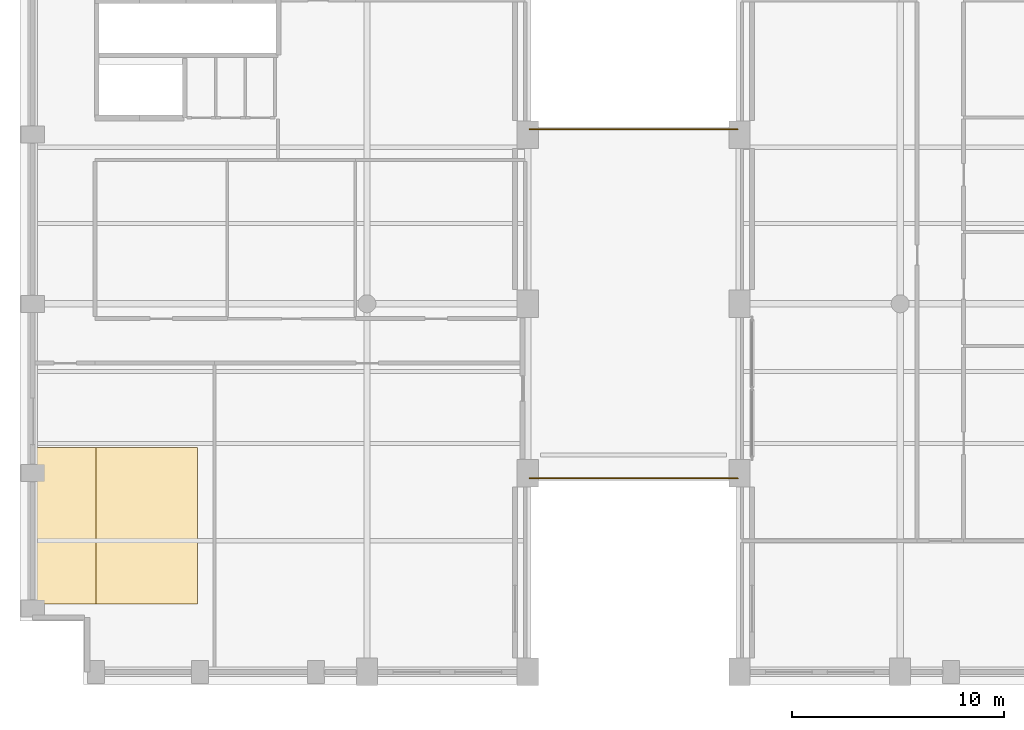
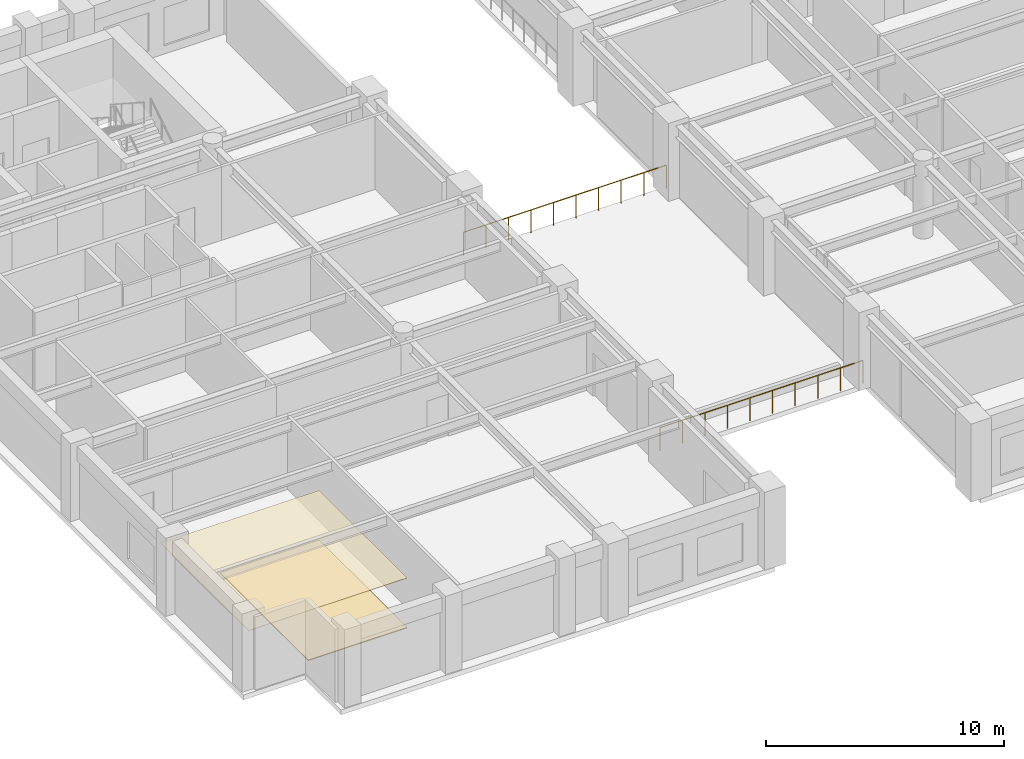
# One storey, part 8 of 10: 2 coverings, 2 railings.
"""IFC4 building model written with IfcOpenShell, lengths in metres."""

from ifc_helpers import new_model, si_unit, direction, frame, origin, origin_2d, place, context, subcontext, project, spatial, polyline, circle, outline, extrude, material, layer, layer_set, type_object, element, save


model = new_model("IFC4")

# Units and contexts
model_context = context("Model", 3, precision=1e-05, world=origin(), true_north=direction((0.0, 1.0)))
body_context = subcontext(model_context, "Body", "Model", "MODEL_VIEW")
ifc_project = project(units=[si_unit("LENGTHUNIT", "METRE"), si_unit("AREAUNIT", "SQUARE_METRE"), si_unit("VOLUMEUNIT", "CUBIC_METRE"), si_unit("PLANEANGLEUNIT", "RADIAN"), si_unit("MASSUNIT", "GRAM", prefix="KILO")], contexts=[model_context])

# Site, building, storey
site_placement = place(None, origin())
site = spatial("IfcSite", under=ifc_project, at=site_placement, CompositionType="ELEMENT")
building_placement = place(site_placement, origin())
building = spatial("IfcBuilding", under=site, at=building_placement, Name="Sulina Concourse Tower", CompositionType="ELEMENT")
storey_placement = place(building_placement, frame((0.0, 0.0, 182.60009765625)))
storey = spatial("IfcBuildingStorey", under=building, at=storey_placement, Name="L44", CompositionType="ELEMENT", Elevation=182.60009765625)

# Coverings
ifc_material_1 = material(Name="Polished granite flooring", Category="masonry")
ifc_layer_1 = layer(ifc_material_1, 0.044921875)
ifc_layer_set_1 = layer_set([ifc_layer_1], Name="Polished granite flooring")
covering_type_1 = type_object("IfcCoveringType", Name="Polished Granite & Raised Access Flooring 45mm", PredefinedType="FLOORING", material=ifc_layer_set_1)
covering_1_placement = place(storey_placement, origin())
element("IfcCovering", 1, at=covering_1_placement, inside=storey, type_object=covering_type_1, Name="L44 raised access floor finish", PredefinedType="FLOORING", context=body_context, shape_type="SweptSolid", body=[
    extrude(outline(polyline([(3.60009765625, 3.800048828125), (8.39990234375, 3.800048828125), (8.39990234375, 11.199951171875), (3.60009765625, 11.199951171875), (3.60009765625, 3.800048828125)])), origin(), (0.0, 0.0, 1.0), 0.044921875),
])
ifc_material_2 = material(Name="Acoustic mineral ceiling board")
ifc_layer_2 = layer(ifc_material_2, 0.02490234375)
ifc_layer_set_2 = layer_set([ifc_layer_2], Name="Acoustic mineral ceiling board")
covering_type_2 = type_object("IfcCoveringType", Name="Suspended Acoustic Mineral Ceiling 25mm", PredefinedType="CEILING", material=ifc_layer_set_2)
covering_2_placement = place(storey_placement, frame((0.0, 0.0, 2.5498046875)))
element("IfcCovering", 2, at=covering_2_placement, inside=storey, type_object=covering_type_2, Name="L44 suspended acoustic tile ceiling", PredefinedType="CEILING", context=body_context, shape_type="SweptSolid", body=[
    extrude(outline(polyline([(0.719970703125, 3.800048828125), (8.39990234375, 3.800048828125), (8.39990234375, 11.199951171875), (0.719970703125, 11.199951171875), (0.719970703125, 3.800048828125)])), origin(), (0.0, 0.0, 1.0), 0.025146484375),
])

# Railings
ifc_material_3 = material(Name="Laminated glass balustrade and steel post", Category="steel")
railing_type = type_object("IfcRailingType", Name="Terrace & Sky-Pool Laminated Guardrail 1200mm", PredefinedType="GUARDRAIL", material=ifc_material_3)
for number, where, name in (
    (3, (24.080078125, 9.75, 0.0), "L44 terrace guardrail TER-WP1-1"),
    (4, (24.080078125, 26.25, 0.0), "L44 terrace guardrail TER-WP1-2"),
):
    element("IfcRailing", number, at=place(storey_placement, frame(where)), inside=storey, type_object=railing_type, Name=name, PredefinedType="GUARDRAIL", context=body_context, shape_type="SweptSolid", body=[
        extrude(circle(Radius=0.02490234375, at=origin_2d()), frame((0.0, 0.0, 1.1748046875), z_axis=(1.0, 0.0, 0.0), x_axis=(0.0, 1.0, 0.0)), (0.0, 0.0, 1.0), 9.83984375),
        extrude(circle(Radius=0.02099609375, at=origin_2d()), origin(), (0.0, 0.0, 1.0), 1.14990234375),
        extrude(circle(Radius=0.02099609375, at=origin_2d()), frame((1.09326171875, 0.0, 0.0)), (0.0, 0.0, 1.0), 1.14990234375),
        extrude(circle(Radius=0.02099609375, at=origin_2d()), frame((2.1865234375, 0.0, 0.0)), (0.0, 0.0, 1.0), 1.14990234375),
        extrude(circle(Radius=0.02099609375, at=origin_2d()), frame((3.280029296875, 0.0, 0.0)), (0.0, 0.0, 1.0), 1.14990234375),
        extrude(circle(Radius=0.02099609375, at=origin_2d()), frame((4.373291015625, 0.0, 0.0)), (0.0, 0.0, 1.0), 1.14990234375),
        extrude(circle(Radius=0.02099609375, at=origin_2d()), frame((5.466552734375, 0.0, 0.0)), (0.0, 0.0, 1.0), 1.14990234375),
        extrude(circle(Radius=0.02099609375, at=origin_2d()), frame((6.559814453125, 0.0, 0.0)), (0.0, 0.0, 1.0), 1.14990234375),
        extrude(circle(Radius=0.02099609375, at=origin_2d()), frame((7.6533203125, 0.0, 0.0)), (0.0, 0.0, 1.0), 1.14990234375),
        extrude(circle(Radius=0.02099609375, at=origin_2d()), frame((8.74658203125, 0.0, 0.0)), (0.0, 0.0, 1.0), 1.14990234375),
        extrude(circle(Radius=0.02099609375, at=origin_2d()), frame((9.83984375, 0.0, 0.0)), (0.0, 0.0, 1.0), 1.14990234375),
    ])

save(model, "model.ifc")
